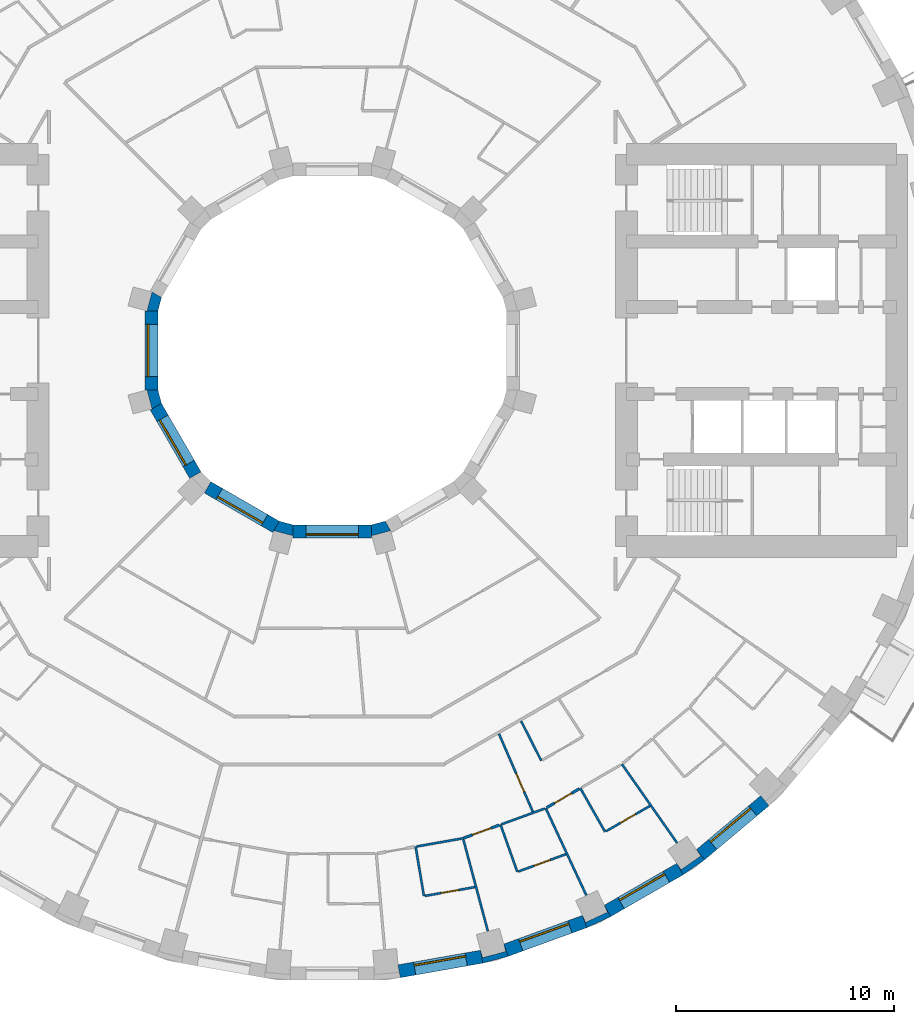
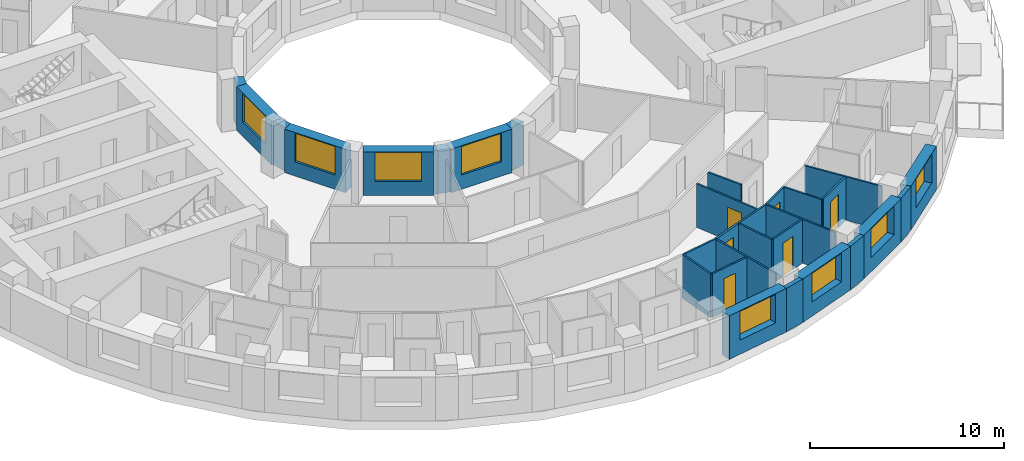
# One storey, part 5 of 14: 30 walls, 8 windows, 6 doors, 14 openings.
"""IFC4 building model written with IfcOpenShell, lengths in metres."""

from ifc_helpers import new_model, si_unit, direction, frame, frame_2d, origin, place, context, subcontext, project, spatial, polyline, rectangle, outline, extrude, material, layer, layer_set, type_object, element, fill, save


model = new_model("IFC4")

# Units and contexts
model_context = context("Model", 3, precision=1e-05, world=origin(), true_north=direction((0.0, 1.0)))
body_context = subcontext(model_context, "Body", "Model", "MODEL_VIEW")
ifc_project = project(units=[si_unit("LENGTHUNIT", "METRE"), si_unit("AREAUNIT", "SQUARE_METRE"), si_unit("VOLUMEUNIT", "CUBIC_METRE"), si_unit("PLANEANGLEUNIT", "RADIAN"), si_unit("MASSUNIT", "GRAM", prefix="KILO")], contexts=[model_context])

# Site, building, storey
site_placement = place(None, origin())
site = spatial("IfcSite", under=ifc_project, at=site_placement, CompositionType="ELEMENT")
building_placement = place(site_placement, origin())
building = spatial("IfcBuilding", under=site, at=building_placement, Name="Saqina Gate Tower", CompositionType="ELEMENT")
storey_placement = place(building_placement, frame((0.0, 0.0, 52.699951171875)))
storey = spatial("IfcBuildingStorey", under=building, at=storey_placement, Name="L14", CompositionType="ELEMENT", Elevation=52.699951171875)

# Walls
ifc_material_1 = material(Name="Brick masonry (red)", Category="masonry")
wall_type_1 = type_object("IfcWallType", Name="BRICK PIER COPING RED", PredefinedType="SOLIDWALL", material=ifc_material_1)
wall_1_placement = place(storey_placement, origin())
element("IfcWall", 1, at=wall_1_placement, inside=storey, type_object=wall_type_1, Name="Pier cap L14 column 29", PredefinedType="SOLIDWALL", context=body_context, shape_type="SweptSolid", body=[
    extrude(outline(polyline([(6.910400390625, -28.11669921875), (8.073974609375, -27.80517578125), (7.86865234375, -27.2412109375), (7.95947265625, -27.57958984375), (6.896728515625, -27.864501953125), (6.80615234375, -27.52587890625), (6.910400390625, -28.11669921875)])), origin(), (0.0, 0.0, 1.0), 2.75),
])
wall_2_placement = place(storey_placement, origin())
element("IfcWall", 2, at=wall_2_placement, inside=storey, type_object=wall_type_1, Name="Pier cap L14 column 30", PredefinedType="SOLIDWALL", context=body_context, shape_type="SweptSolid", body=[
    extrude(outline(polyline([(12.779541015625, -25.980712890625), (12.4794921875, -25.4609375), (12.627685546875, -25.778564453125), (11.630615234375, -26.243408203125), (11.482666015625, -25.92578125), (11.687744140625, -26.48974609375), (12.779541015625, -25.980712890625)])), origin(), (0.0, 0.0, 1.0), 2.75),
])
wall_3_placement = place(storey_placement, origin())
element("IfcWall", 3, at=wall_3_placement, inside=storey, type_object=wall_type_1, Name="Pier cap L14 column 31", PredefinedType="SOLIDWALL", context=body_context, shape_type="SweptSolid", body=[
    extrude(outline(polyline([(16.110107421875, -24.0576171875), (17.096923828125, -23.36669921875), (16.711181640625, -22.9072265625), (16.912109375, -23.194091796875), (16.010986328125, -23.8251953125), (15.81005859375, -23.5380859375), (16.110107421875, -24.0576171875)])), origin(), (0.0, 0.0, 1.0), 2.75),
])

# Wall, opening, window
ifc_material_2 = material(Name="Brick masonry (red)", Category="masonry")
ifc_layer_1 = layer(ifc_material_2, 0.60009765625)
ifc_layer_set_1 = layer_set([ifc_layer_1], Name="FW-BRICK-RED")
wall_type_2 = type_object("IfcWallType", Name="FW-BRICK-RED", PredefinedType="SOLIDWALL", material=ifc_layer_set_1)
wall_4_placement = place(storey_placement, frame((3.07080078125, -28.4892578125, 0.0), z_axis=(0.0, 0.0, 1.0), x_axis=(0.984800809218, 0.173687553279, 0.0)))
wall_4 = element("IfcWall", 4, at=wall_4_placement, inside=storey, type_object=wall_type_2, Name="Facade wall L14 facet 28", PredefinedType="SOLIDWALL", context=body_context, shape_type="SweptSolid", body=[
    extrude(rectangle(XDim=3.845703125, YDim=0.60009765625, at=frame_2d((1.9228515625, 0.0))), origin(), (0.0, 0.0, 1.0), 2.75),
])
opening_1_placement = place(wall_4_placement, frame((0.722900390625, 0.0, 0.89990234375)))
opening_1 = element("IfcOpeningElement", 5, at=opening_1_placement, cuts=wall_4, Name="Opening G03-W21", PredefinedType="OPENING", context=body_context, shape_type="SweptSolid", body=[
    extrude(rectangle(XDim=2.39990234375, YDim=1.800048828125, at=frame_2d((1.199951171875, 0.89990234375))), frame((0.0, 0.31201171875, 0.0), z_axis=(0.0, -1.0, 0.0), x_axis=(1.0, 0.0, 0.0)), (0.0, 0.0, 1.0), 0.6240234375),
])
ifc_material_3 = material(Name="Aluminium glazing", Category="aluminium")
window_type_1 = type_object("IfcWindowType", Name="WN-A", PartitioningType="SINGLE_PANEL", PredefinedType="WINDOW", material=ifc_material_3)
window_1_placement = place(opening_1_placement, origin())
window_1 = element("IfcWindow", 6, at=window_1_placement, inside=storey, type_object=window_type_1, Name="Window L14 facet 28", OverallHeight=1.800048828125, OverallWidth=2.39990234375, PartitioningType="SINGLE_PANEL", PredefinedType="WINDOW", context=body_context, shape_type="SweptSolid", body=[
    extrude(rectangle(XDim=2.39990234375, YDim=1.800048828125, at=frame_2d((1.199951171875, 0.89990234375))), frame((0.0, 0.179931640625, 0.0), z_axis=(0.0, -1.0, 0.0), x_axis=(1.0, 0.0, 0.0)), (0.0, 0.0, 1.0), 0.06005859375),
])
fill(opening_1, window_1)

wall_5_placement = place(storey_placement, frame((7.97119140625, -27.523193359375, 0.0), z_axis=(0.0, 0.0, 1.0), x_axis=(0.939689588564, 0.342028474173, 0.0)))
wall_5 = element("IfcWall", 7, at=wall_5_placement, inside=storey, type_object=wall_type_2, Name="Facade wall L14 facet 29", PredefinedType="SOLIDWALL", context=body_context, shape_type="SweptSolid", body=[
    extrude(rectangle(XDim=3.845947265625, YDim=0.60009765625, at=frame_2d((1.9228515625, 0.0))), origin(), (0.0, 0.0, 1.0), 2.75),
])
opening_2_placement = place(wall_5_placement, frame((0.722900390625, 0.0, 0.89990234375)))
opening_2 = element("IfcOpeningElement", 8, at=opening_2_placement, cuts=wall_5, Name="Opening G03-W22", PredefinedType="OPENING", context=body_context, shape_type="SweptSolid", body=[
    extrude(rectangle(XDim=2.39990234375, YDim=1.800048828125, at=frame_2d((1.199951171875, 0.89990234375))), frame((0.0, 0.31201171875, 0.0), z_axis=(0.0, -1.0, 0.0), x_axis=(1.0, 0.0, 0.0)), (0.0, 0.0, 1.0), 0.6240234375),
])
window_2_placement = place(opening_2_placement, origin())
window_2 = element("IfcWindow", 9, at=window_2_placement, inside=storey, type_object=window_type_1, Name="Window L14 facet 29", OverallHeight=1.800048828125, OverallWidth=2.39990234375, PartitioningType="SINGLE_PANEL", PredefinedType="WINDOW", context=body_context, shape_type="SweptSolid", body=[
    extrude(rectangle(XDim=2.39990234375, YDim=1.800048828125, at=frame_2d((1.199951171875, 0.89990234375))), frame((0.0, 0.179931640625, 0.0), z_axis=(0.0, -1.0, 0.0), x_axis=(1.0, 0.0, 0.0)), (0.0, 0.0, 1.0), 0.06005859375),
])
fill(opening_2, window_2)

wall_6_placement = place(storey_placement, frame((12.629638671875, -25.720703125, 0.0), z_axis=(0.0, 0.0, 1.0), x_axis=(0.86603124159, 0.499989888488, 0.0)))
wall_6 = element("IfcWall", 10, at=wall_6_placement, inside=storey, type_object=wall_type_2, Name="Facade wall L14 facet 30", PredefinedType="SOLIDWALL", context=body_context, shape_type="SweptSolid", body=[
    extrude(rectangle(XDim=3.845703125, YDim=0.60009765625, at=frame_2d((1.9228515625, 0.0))), origin(), (0.0, 0.0, 1.0), 2.75),
])
opening_3_placement = place(wall_6_placement, frame((0.722900390625, 0.0, 0.89990234375)))
opening_3 = element("IfcOpeningElement", 11, at=opening_3_placement, cuts=wall_6, Name="Opening G03-W23", PredefinedType="OPENING", context=body_context, shape_type="SweptSolid", body=[
    extrude(rectangle(XDim=2.39990234375, YDim=1.800048828125, at=frame_2d((1.199951171875, 0.89990234375))), frame((0.0, 0.31201171875, 0.0), z_axis=(0.0, -1.0, 0.0), x_axis=(1.0, 0.0, 0.0)), (0.0, 0.0, 1.0), 0.6240234375),
])
window_3_placement = place(opening_3_placement, origin())
window_3 = element("IfcWindow", 12, at=window_3_placement, inside=storey, type_object=window_type_1, Name="Window L14 facet 30", OverallHeight=1.800048828125, OverallWidth=2.39990234375, PartitioningType="SINGLE_PANEL", PredefinedType="WINDOW", context=body_context, shape_type="SweptSolid", body=[
    extrude(rectangle(XDim=2.39990234375, YDim=1.800048828125, at=frame_2d((1.199951171875, 0.89990234375))), frame((0.0, 0.179931640625, 0.0), z_axis=(0.0, -1.0, 0.0), x_axis=(1.0, 0.0, 0.0)), (0.0, 0.0, 1.0), 0.06005859375),
])
fill(opening_3, window_3)

wall_7_placement = place(storey_placement, frame((16.904052734375, -23.136962890625, 0.0), z_axis=(0.0, 0.0, 1.0), x_axis=(0.766026164483, 0.642809392687, 0.0)))
wall_7 = element("IfcWall", 13, at=wall_7_placement, inside=storey, type_object=wall_type_2, Name="Facade wall L14 facet 31", PredefinedType="SOLIDWALL", context=body_context, shape_type="SweptSolid", body=[
    extrude(rectangle(XDim=3.845947265625, YDim=0.60009765625, at=frame_2d((1.9228515625, 0.0))), origin(), (0.0, 0.0, 1.0), 2.75),
])
opening_4_placement = place(wall_7_placement, frame((0.722900390625, 0.0, 0.89990234375)))
opening_4 = element("IfcOpeningElement", 14, at=opening_4_placement, cuts=wall_7, Name="Opening G03-W24", PredefinedType="OPENING", context=body_context, shape_type="SweptSolid", body=[
    extrude(rectangle(XDim=2.39990234375, YDim=1.800048828125, at=frame_2d((1.199951171875, 0.89990234375))), frame((0.0, 0.31201171875, 0.0), z_axis=(0.0, -1.0, 0.0), x_axis=(1.0, 0.0, 0.0)), (0.0, 0.0, 1.0), 0.6240234375),
])
window_4_placement = place(opening_4_placement, origin())
window_4 = element("IfcWindow", 15, at=window_4_placement, inside=storey, type_object=window_type_1, Name="Window L14 facet 31", OverallHeight=1.800048828125, OverallWidth=2.39990234375, PartitioningType="SINGLE_PANEL", PredefinedType="WINDOW", context=body_context, shape_type="SweptSolid", body=[
    extrude(rectangle(XDim=2.39990234375, YDim=1.800048828125, at=frame_2d((1.199951171875, 0.89990234375))), frame((0.0, 0.179931640625, 0.0), z_axis=(0.0, -1.0, 0.0), x_axis=(1.0, 0.0, 0.0)), (0.0, 0.0, 1.0), 0.06005859375),
])
fill(opening_4, window_4)

ifc_material_4 = material(Name="Glazed ceramic tile", Category="ceramic")
ifc_layer_2 = layer(ifc_material_4, 0.60009765625)
ifc_layer_set_2 = layer_set([ifc_layer_2], Name="IW-TILE")
wall_type_3 = type_object("IfcWallType", Name="IW-TILE", PredefinedType="SOLIDWALL", material=ifc_layer_set_2)
wall_8_placement = place(storey_placement, frame((-8.300048828125, 1.8125, 0.0), z_axis=(0.0, 0.0, 1.0), x_axis=(0.0, -1.0, 0.0)))
wall_8 = element("IfcWall", 16, at=wall_8_placement, inside=storey, type_object=wall_type_3, Name="Well wall L14 facet 6", PredefinedType="SOLIDWALL", context=body_context, shape_type="SweptSolid", body=[
    extrude(rectangle(XDim=3.625, YDim=0.60009765625, at=frame_2d((1.8125, 0.0))), origin(), (0.0, 0.0, 1.0), 2.75),
])
opening_5_placement = place(wall_8_placement, frame((0.612548828125, 0.0, 0.89990234375)))
opening_5 = element("IfcOpeningElement", 17, at=opening_5_placement, cuts=wall_8, Name="Opening G03-W31", PredefinedType="OPENING", context=body_context, shape_type="SweptSolid", body=[
    extrude(rectangle(XDim=2.39990234375, YDim=1.800048828125, at=frame_2d((1.199951171875, 0.89990234375))), frame((0.0, 0.31201171875, 0.0), z_axis=(0.0, -1.0, 0.0), x_axis=(1.0, 0.0, 0.0)), (0.0, 0.0, 1.0), 0.6240234375),
])
ifc_material_5 = material(Name="Aluminium glazing", Category="aluminium")
window_type_2 = type_object("IfcWindowType", Name="WN-W", PartitioningType="SINGLE_PANEL", PredefinedType="WINDOW", material=ifc_material_5)
window_5_placement = place(opening_5_placement, origin())
window_5 = element("IfcWindow", 18, at=window_5_placement, inside=storey, type_object=window_type_2, Name="Well window L14 facet 6", OverallHeight=1.800048828125, OverallWidth=2.39990234375, PartitioningType="SINGLE_PANEL", PredefinedType="WINDOW", context=body_context, shape_type="SweptSolid", body=[
    extrude(rectangle(XDim=2.39990234375, YDim=1.800048828125, at=frame_2d((1.199951171875, 0.89990234375))), frame((0.0, -0.119873046875, 0.0), z_axis=(0.0, -1.0, 0.0), x_axis=(1.0, 0.0, 0.0)), (0.0, 0.0, 1.0), 0.06005859375),
])
fill(opening_5, window_5)

wall_9_placement = place(storey_placement, frame((-8.09423828125, -2.580322265625, 0.0), z_axis=(0.0, 0.0, 1.0), x_axis=(0.499992569217, -0.866029693906, 0.0)))
wall_9 = element("IfcWall", 19, at=wall_9_placement, inside=storey, type_object=wall_type_3, Name="Well wall L14 facet 7", PredefinedType="SOLIDWALL", context=body_context, shape_type="SweptSolid", body=[
    extrude(rectangle(XDim=3.625, YDim=0.60009765625, at=frame_2d((1.8125, 0.0))), origin(), (0.0, 0.0, 1.0), 2.75),
])
opening_6_placement = place(wall_9_placement, frame((0.612548828125, 0.0, 0.89990234375)))
opening_6 = element("IfcOpeningElement", 20, at=opening_6_placement, cuts=wall_9, Name="Opening G03-W32", PredefinedType="OPENING", context=body_context, shape_type="SweptSolid", body=[
    extrude(rectangle(XDim=2.39990234375, YDim=1.800048828125, at=frame_2d((1.199951171875, 0.89990234375))), frame((0.0, 0.31201171875, 0.0), z_axis=(0.0, -1.0, 0.0), x_axis=(1.0, 0.0, 0.0)), (0.0, 0.0, 1.0), 0.6240234375),
])
window_6_placement = place(opening_6_placement, origin())
window_6 = element("IfcWindow", 21, at=window_6_placement, inside=storey, type_object=window_type_2, Name="Well window L14 facet 7", OverallHeight=1.800048828125, OverallWidth=2.39990234375, PartitioningType="SINGLE_PANEL", PredefinedType="WINDOW", context=body_context, shape_type="SweptSolid", body=[
    extrude(rectangle(XDim=2.39990234375, YDim=1.800048828125, at=frame_2d((1.199951171875, 0.89990234375))), frame((0.0, -0.119873046875, 0.0), z_axis=(0.0, -1.0, 0.0), x_axis=(1.0, 0.0, 0.0)), (0.0, 0.0, 1.0), 0.06005859375),
])
fill(opening_6, window_6)

wall_10_placement = place(storey_placement, frame((-5.7197265625, -6.28173828125, 0.0), z_axis=(0.0, 0.0, 1.0), x_axis=(0.866029693906, -0.499992569217, 0.0)))
wall_10 = element("IfcWall", 22, at=wall_10_placement, inside=storey, type_object=wall_type_3, Name="Well wall L14 facet 8", PredefinedType="SOLIDWALL", context=body_context, shape_type="SweptSolid", body=[
    extrude(rectangle(XDim=3.625, YDim=0.60009765625, at=frame_2d((1.8125, 0.0))), origin(), (0.0, 0.0, 1.0), 2.75),
])
opening_7_placement = place(wall_10_placement, frame((0.612548828125, 0.0, 0.89990234375)))
opening_7 = element("IfcOpeningElement", 23, at=opening_7_placement, cuts=wall_10, Name="Opening G03-W33", PredefinedType="OPENING", context=body_context, shape_type="SweptSolid", body=[
    extrude(rectangle(XDim=2.39990234375, YDim=1.800048828125, at=frame_2d((1.199951171875, 0.89990234375))), frame((0.0, 0.31201171875, 0.0), z_axis=(0.0, -1.0, 0.0), x_axis=(1.0, 0.0, 0.0)), (0.0, 0.0, 1.0), 0.6240234375),
])
window_7_placement = place(opening_7_placement, origin())
window_7 = element("IfcWindow", 24, at=window_7_placement, inside=storey, type_object=window_type_2, Name="Well window L14 facet 8", OverallHeight=1.800048828125, OverallWidth=2.39990234375, PartitioningType="SINGLE_PANEL", PredefinedType="WINDOW", context=body_context, shape_type="SweptSolid", body=[
    extrude(rectangle(XDim=2.39990234375, YDim=1.800048828125, at=frame_2d((1.199951171875, 0.89990234375))), frame((0.0, -0.119873046875, 0.0), z_axis=(0.0, -1.0, 0.0), x_axis=(1.0, 0.0, 0.0)), (0.0, 0.0, 1.0), 0.06005859375),
])
fill(opening_7, window_7)

wall_11_placement = place(storey_placement, frame((-1.8125, -8.300048828125, 0.0), z_axis=(0.0, 0.0, 1.0), x_axis=(1.0, 0.0, 0.0)))
wall_11 = element("IfcWall", 25, at=wall_11_placement, inside=storey, type_object=wall_type_3, Name="Well wall L14 facet 9", PredefinedType="SOLIDWALL", context=body_context, shape_type="SweptSolid", body=[
    extrude(rectangle(XDim=3.625, YDim=0.60009765625, at=frame_2d((1.8125, 0.0))), origin(), (0.0, 0.0, 1.0), 2.75),
])
opening_8_placement = place(wall_11_placement, frame((0.612548828125, 0.0, 0.89990234375)))
opening_8 = element("IfcOpeningElement", 26, at=opening_8_placement, cuts=wall_11, Name="Opening G03-W34", PredefinedType="OPENING", context=body_context, shape_type="SweptSolid", body=[
    extrude(rectangle(XDim=2.39990234375, YDim=1.800048828125, at=frame_2d((1.199951171875, 0.89990234375))), frame((0.0, 0.31201171875, 0.0), z_axis=(0.0, -1.0, 0.0), x_axis=(1.0, 0.0, 0.0)), (0.0, 0.0, 1.0), 0.6240234375),
])
window_8_placement = place(opening_8_placement, origin())
window_8 = element("IfcWindow", 27, at=window_8_placement, inside=storey, type_object=window_type_2, Name="Well window L14 facet 9", OverallHeight=1.800048828125, OverallWidth=2.39990234375, PartitioningType="SINGLE_PANEL", PredefinedType="WINDOW", context=body_context, shape_type="SweptSolid", body=[
    extrude(rectangle(XDim=2.39990234375, YDim=1.800048828125, at=frame_2d((1.199951171875, 0.89990234375))), frame((0.0, -0.119873046875, 0.0), z_axis=(0.0, -1.0, 0.0), x_axis=(1.0, 0.0, 0.0)), (0.0, 0.0, 1.0), 0.06005859375),
])
fill(opening_8, window_8)

# Walls
ifc_material_6 = material(Name="Gypsum board on steel studs, 100 mm", Category="steel")
ifc_layer_3 = layer(ifc_material_6, 0.10009765625)
ifc_layer_set_3 = layer_set([ifc_layer_3], Name="PARTITION 100")
wall_type_4 = type_object("IfcWallType", Name="PARTITION 100", PredefinedType="PARTITIONING", material=ifc_layer_set_3)
wall_12_placement = place(storey_placement, frame((3.826904296875, -22.77099609375, 0.0), z_axis=(0.0, 0.0, 1.0), x_axis=(0.165707124798, -0.98617500921, 0.0)))
element("IfcWall", 28, at=wall_12_placement, inside=storey, type_object=wall_type_4, Name="PARTITION PW3-05", PredefinedType="PARTITIONING", context=body_context, shape_type="SweptSolid", body=[
    extrude(rectangle(XDim=2.2998046875, YDim=0.10009765625, at=frame_2d((1.14990234375, 0.0))), origin(), (0.0, 0.0, 1.0), 2.75),
])
wall_13_placement = place(storey_placement, frame((6.018310546875, -22.447509765625, 0.0), z_axis=(0.0, 0.0, 1.0), x_axis=(0.258193625059, -0.966093190111, 0.0)))
element("IfcWall", 29, at=wall_13_placement, inside=storey, type_object=wall_type_4, Name="PARTITION PW3-08", PredefinedType="PARTITIONING", context=body_context, shape_type="SweptSolid", body=[
    extrude(rectangle(XDim=4.349609375, YDim=0.10009765625, at=frame_2d((2.1748046875, 0.0))), origin(), (0.0, 0.0, 1.0), 2.75),
])
wall_14_placement = place(storey_placement, frame((7.722900390625, -21.760009765625, 0.0), z_axis=(0.0, 0.0, 1.0), x_axis=(0.334695622164, -0.942326291952, 0.0)))
element("IfcWall", 30, at=wall_14_placement, inside=storey, type_object=wall_type_4, Name="PARTITION PW3-11", PredefinedType="PARTITIONING", context=body_context, shape_type="SweptSolid", body=[
    extrude(rectangle(XDim=2.300537109375, YDim=0.10009765625, at=frame_2d((1.150390625, 0.0))), origin(), (0.0, 0.0, 1.0), 2.75),
])

# Wall, opening, door
wall_15_placement = place(storey_placement, frame((7.64990234375, -17.59423828125, 0.0), z_axis=(0.0, 0.0, 1.0), x_axis=(0.398813158587, -0.917032204744, 0.0)))
wall_15 = element("IfcWall", 31, at=wall_15_placement, inside=storey, type_object=wall_type_4, Name="PARTITION PW3-14", PredefinedType="PARTITIONING", context=body_context, shape_type="SweptSolid", body=[
    extrude(rectangle(XDim=3.89697265625, YDim=0.10009765625, at=frame_2d((1.948486328125, 0.0))), origin(), (0.0, 0.0, 1.0), 2.75),
])
opening_9_placement = place(wall_15_placement, frame((1.9921875, 0.0, 0.0)))
opening_9 = element("IfcOpeningElement", 32, at=opening_9_placement, cuts=wall_15, Name="Opening G03-D64", PredefinedType="OPENING", context=body_context, shape_type="SweptSolid", body=[
    extrude(rectangle(XDim=0.89990234375, YDim=2.10009765625, at=frame_2d((0.449951171875, 1.050048828125))), frame((0.0, 0.06201171875, 0.0), z_axis=(0.0, -1.0, 0.0), x_axis=(1.0, 0.0, 0.0)), (0.0, 0.0, 1.0), 0.1240234375),
])
ifc_material_7 = material(Name="Timber door leaf, 900 mm", Category="wood")
door_type_1 = type_object("IfcDoorType", Name="DOOR 900 TIMBER", OperationType="SINGLE_SWING_LEFT", PredefinedType="DOOR", material=ifc_material_7)
door_1_placement = place(opening_9_placement, frame((0.89990234375, 0.0, 0.0), z_axis=(0.0, 0.0, 1.0), x_axis=(-1.0, 0.0, 0.0)))
door_1 = element("IfcDoor", 33, at=door_1_placement, inside=storey, type_object=door_type_1, Name="DOOR G03-D64", OperationType="SINGLE_SWING_LEFT", OverallHeight=2.10009765625, OverallWidth=0.89990234375, PredefinedType="DOOR", context=body_context, shape_type="SweptSolid", body=[
    extrude(rectangle(XDim=0.89990234375, YDim=2.10009765625, at=frame_2d((0.449951171875, 1.050048828125))), frame((0.0, 0.02490234375, 0.0), z_axis=(0.0, -1.0, 0.0), x_axis=(1.0, 0.0, 0.0)), (0.0, 0.0, 1.0), 0.050048828125),
])
fill(opening_9, door_1)

# Walls
wall_16_placement = place(storey_placement, frame((9.794921875, -21.006103515625, 0.0), z_axis=(0.0, 0.0, 1.0), x_axis=(0.422658280027, -0.906289125127, 0.0)))
element("IfcWall", 34, at=wall_16_placement, inside=storey, type_object=wall_type_4, Name="PARTITION PW3-16", PredefinedType="PARTITIONING", context=body_context, shape_type="SweptSolid", body=[
    extrude(rectangle(XDim=4.41259765625, YDim=0.10009765625, at=frame_2d((2.206298828125, 0.0))), origin(), (0.0, 0.0, 1.0), 2.75),
])
wall_17_placement = place(storey_placement, frame((8.66650390625, -17.0078125, 0.0), z_axis=(0.0, 0.0, 1.0), x_axis=(0.453664033068, -0.891172791944, 0.0)))
element("IfcWall", 35, at=wall_17_placement, inside=storey, type_object=wall_type_4, Name="PARTITION PW3-17", PredefinedType="PARTITIONING", context=body_context, shape_type="SweptSolid", body=[
    extrude(rectangle(XDim=2.0400390625, YDim=0.10009765625, at=frame_2d((1.02001953125, 0.0))), origin(), (0.0, 0.0, 1.0), 2.75),
])
wall_18_placement = place(storey_placement, frame((11.385009765625, -20.089111328125, 0.0), z_axis=(0.0, 0.0, 1.0), x_axis=(0.49306078006, -0.869994866173, 0.0)))
element("IfcWall", 36, at=wall_18_placement, inside=storey, type_object=wall_type_4, Name="PARTITION PW3-19", PredefinedType="PARTITIONING", context=body_context, shape_type="SweptSolid", body=[
    extrude(rectangle(XDim=2.300048828125, YDim=0.10009765625, at=frame_2d((1.14990234375, 0.0))), origin(), (0.0, 0.0, 1.0), 2.75),
])
wall_19_placement = place(storey_placement, frame((13.2939453125, -18.986083984375, 0.0), z_axis=(0.0, 0.0, 1.0), x_axis=(0.573391786342, -0.819281306607, 0.0)))
element("IfcWall", 37, at=wall_19_placement, inside=storey, type_object=wall_type_4, Name="PARTITION PW3-25", PredefinedType="PARTITIONING", context=body_context, shape_type="SweptSolid", body=[
    extrude(rectangle(XDim=4.412353515625, YDim=0.10009765625, at=frame_2d((2.2060546875, 0.0))), origin(), (0.0, 0.0, 1.0), 2.75),
])

# Wall, opening, door
wall_20_placement = place(storey_placement, frame((4.25732421875, -25.0302734375, 0.0), z_axis=(0.0, 0.0, 1.0), x_axis=(0.984818426074, 0.173587636842, 0.0)))
wall_20 = element("IfcWall", 38, at=wall_20_placement, inside=storey, type_object=wall_type_4, Name="PARTITION PW3-70", PredefinedType="PARTITIONING", context=body_context, shape_type="SweptSolid", body=[
    extrude(rectangle(XDim=2.324951171875, YDim=0.10009765625, at=frame_2d((1.16259765625, 0.0))), origin(), (0.0, 0.0, 1.0), 2.75),
])
opening_10_placement = place(wall_20_placement, frame((0.762451171875, 0.0, 0.0)))
opening_10 = element("IfcOpeningElement", 39, at=opening_10_placement, cuts=wall_20, Name="Opening G03-D61", PredefinedType="OPENING", context=body_context, shape_type="SweptSolid", body=[
    extrude(rectangle(XDim=0.800048828125, YDim=2.10009765625, at=frame_2d((0.39990234375, 1.050048828125))), frame((0.0, 0.06201171875, 0.0), z_axis=(0.0, -1.0, 0.0), x_axis=(1.0, 0.0, 0.0)), (0.0, 0.0, 1.0), 0.1240234375),
])
ifc_material_8 = material(Name="Timber door leaf, 800 mm", Category="wood")
door_type_2 = type_object("IfcDoorType", Name="DOOR 800 TIMBER", OperationType="SINGLE_SWING_LEFT", PredefinedType="DOOR", material=ifc_material_8)
door_2_placement = place(opening_10_placement, frame((0.800048828125, 0.0, 0.0), z_axis=(0.0, 0.0, 1.0), x_axis=(-1.0, 0.0, 0.0)))
door_2 = element("IfcDoor", 40, at=door_2_placement, inside=storey, type_object=door_type_2, Name="DOOR G03-D61", OperationType="SINGLE_SWING_RIGHT", OverallHeight=2.10009765625, OverallWidth=0.800048828125, PredefinedType="DOOR", context=body_context, shape_type="SweptSolid", body=[
    extrude(rectangle(XDim=0.800048828125, YDim=2.10009765625, at=frame_2d((0.39990234375, 1.050048828125))), frame((0.0, 0.02490234375, 0.0), z_axis=(0.0, -1.0, 0.0), x_axis=(1.0, 0.0, 0.0)), (0.0, 0.0, 1.0), 0.050048828125),
])
fill(opening_10, door_2)

# Wall
wall_21_placement = place(storey_placement, frame((3.876220703125, -22.76220703125, 0.0), z_axis=(0.0, 0.0, 1.0), x_axis=(0.98481362095, 0.173614895648, 0.0)))
element("IfcWall", 41, at=wall_21_placement, inside=storey, type_object=wall_type_4, Name="PARTITION PW3-71", PredefinedType="PARTITIONING", context=body_context, shape_type="SweptSolid", body=[
    extrude(rectangle(XDim=2.206298828125, YDim=0.10009765625, at=frame_2d((1.10302734375, 0.0))), origin(), (0.0, 0.0, 1.0), 2.75),
])

# Wall, opening, door
wall_22_placement = place(storey_placement, frame((8.5400390625, -23.910888671875, 0.0), z_axis=(0.0, 0.0, 1.0), x_axis=(0.939716717369, 0.34195393125, 0.0)))
wall_22 = element("IfcWall", 42, at=wall_22_placement, inside=storey, type_object=wall_type_4, Name="PARTITION PW3-74", PredefinedType="PARTITIONING", context=body_context, shape_type="SweptSolid", body=[
    extrude(rectangle(XDim=2.323974609375, YDim=0.10009765625, at=frame_2d((1.162109375, 0.0))), origin(), (0.0, 0.0, 1.0), 2.75),
])
opening_11_placement = place(wall_22_placement, frame((0.76220703125, 0.0, 0.0)))
opening_11 = element("IfcOpeningElement", 43, at=opening_11_placement, cuts=wall_22, Name="Opening G03-D63", PredefinedType="OPENING", context=body_context, shape_type="SweptSolid", body=[
    extrude(rectangle(XDim=0.800048828125, YDim=2.10009765625, at=frame_2d((0.39990234375, 1.050048828125))), frame((0.0, 0.06201171875, 0.0), z_axis=(0.0, -1.0, 0.0), x_axis=(1.0, 0.0, 0.0)), (0.0, 0.0, 1.0), 0.1240234375),
])
door_3_placement = place(opening_11_placement, frame((0.800048828125, 0.0, 0.0), z_axis=(0.0, 0.0, 1.0), x_axis=(-1.0, 0.0, 0.0)))
door_3 = element("IfcDoor", 44, at=door_3_placement, inside=storey, type_object=door_type_2, Name="DOOR G03-D63", OperationType="SINGLE_SWING_LEFT", OverallHeight=2.10009765625, OverallWidth=0.800048828125, PredefinedType="DOOR", context=body_context, shape_type="SweptSolid", body=[
    extrude(rectangle(XDim=0.800048828125, YDim=2.10009765625, at=frame_2d((0.39990234375, 1.050048828125))), frame((0.0, 0.02490234375, 0.0), z_axis=(0.0, -1.0, 0.0), x_axis=(1.0, 0.0, 0.0)), (0.0, 0.0, 1.0), 0.050048828125),
])
fill(opening_11, door_3)

# Wall
wall_23_placement = place(storey_placement, frame((7.77001953125, -21.742919921875, 0.0), z_axis=(0.0, 0.0, 1.0), x_axis=(0.939725675468, 0.341929312674, 0.0)))
element("IfcWall", 45, at=wall_23_placement, inside=storey, type_object=wall_type_4, Name="PARTITION PW3-75", PredefinedType="PARTITIONING", context=body_context, shape_type="SweptSolid", body=[
    extrude(rectangle(XDim=2.10498046875, YDim=0.10009765625, at=frame_2d((1.052490234375, 0.0))), origin(), (0.0, 0.0, 1.0), 2.75),
])

# Wall, opening, door
wall_24_placement = place(storey_placement, frame((12.562255859375, -22.06494140625, 0.0), z_axis=(0.0, 0.0, 1.0), x_axis=(0.865919666768, 0.50018309718, 0.0)))
wall_24 = element("IfcWall", 46, at=wall_24_placement, inside=storey, type_object=wall_type_4, Name="PARTITION PW3-79", PredefinedType="PARTITIONING", context=body_context, shape_type="SweptSolid", body=[
    extrude(rectangle(XDim=2.324462890625, YDim=0.10009765625, at=frame_2d((1.162109375, 0.0))), origin(), (0.0, 0.0, 1.0), 2.75),
])
opening_12_placement = place(wall_24_placement, frame((0.76220703125, 0.0, 0.0)))
opening_12 = element("IfcOpeningElement", 47, at=opening_12_placement, cuts=wall_24, Name="Opening G03-D69", PredefinedType="OPENING", context=body_context, shape_type="SweptSolid", body=[
    extrude(rectangle(XDim=0.800048828125, YDim=2.10009765625, at=frame_2d((0.39990234375, 1.050048828125))), frame((0.0, 0.06201171875, 0.0), z_axis=(0.0, -1.0, 0.0), x_axis=(1.0, 0.0, 0.0)), (0.0, 0.0, 1.0), 0.1240234375),
])
door_4_placement = place(opening_12_placement, frame((0.800048828125, 0.0, 0.0), z_axis=(0.0, 0.0, 1.0), x_axis=(-1.0, 0.0, 0.0)))
door_4 = element("IfcDoor", 48, at=door_4_placement, inside=storey, type_object=door_type_2, Name="DOOR G03-D69", OperationType="SINGLE_SWING_RIGHT", OverallHeight=2.10009765625, OverallWidth=0.800048828125, PredefinedType="DOOR", context=body_context, shape_type="SweptSolid", body=[
    extrude(rectangle(XDim=0.800048828125, YDim=2.10009765625, at=frame_2d((0.39990234375, 1.050048828125))), frame((0.0, 0.02490234375, 0.0), z_axis=(0.0, -1.0, 0.0), x_axis=(1.0, 0.0, 0.0)), (0.0, 0.0, 1.0), 0.050048828125),
])
fill(opening_12, door_4)

ifc_material_9 = material(Name="Gypsum board on steel studs, 125 mm, fire rated", Category="steel")
ifc_layer_4 = layer(ifc_material_9, 0.125)
ifc_layer_set_4 = layer_set([ifc_layer_4], Name="PARTITION EI 30 125")
wall_type_5 = type_object("IfcWallType", Name="PARTITION EI 30 125", PredefinedType="PARTITIONING", material=ifc_layer_set_4)
wall_25_placement = place(storey_placement, frame((6.0458984375, -22.370849609375, 0.0), z_axis=(0.0, 0.0, 1.0), x_axis=(0.939612508188, 0.342240170722, 0.0)))
wall_25 = element("IfcWall", 49, at=wall_25_placement, inside=storey, type_object=wall_type_5, Name="PARTITION PW1-33", PredefinedType="PARTITIONING", context=body_context, shape_type="SweptSolid", body=[
    extrude(rectangle(XDim=1.73486328125, YDim=0.125, at=frame_2d((0.867431640625, 0.0))), origin(), (0.0, 0.0, 1.0), 2.75),
])
opening_13_placement = place(wall_25_placement, frame((0.41748046875, 0.0, 0.0)))
opening_13 = element("IfcOpeningElement", 50, at=opening_13_placement, cuts=wall_25, Name="Opening G03-D62", PredefinedType="OPENING", context=body_context, shape_type="SweptSolid", body=[
    extrude(rectangle(XDim=0.89990234375, YDim=2.10009765625, at=frame_2d((0.449951171875, 1.050048828125))), frame((0.0, 0.074462890625, 0.0), z_axis=(0.0, -1.0, 0.0), x_axis=(1.0, 0.0, 0.0)), (0.0, 0.0, 1.0), 0.14892578125),
])
ifc_material_10 = material(Name="Fire door leaf EI 30, 900 mm")
door_type_3 = type_object("IfcDoorType", Name="DOOR 900 EI 30", OperationType="SINGLE_SWING_LEFT", PredefinedType="DOOR", material=ifc_material_10)
door_5_placement = place(opening_13_placement, origin())
door_5 = element("IfcDoor", 51, at=door_5_placement, inside=storey, type_object=door_type_3, Name="DOOR G03-D62", OperationType="SINGLE_SWING_LEFT", OverallHeight=2.10009765625, OverallWidth=0.89990234375, PredefinedType="DOOR", context=body_context, shape_type="SweptSolid", body=[
    extrude(rectangle(XDim=0.89990234375, YDim=2.10009765625, at=frame_2d((0.449951171875, 1.050048828125))), frame((0.0, 0.02490234375, 0.0), z_axis=(0.0, -1.0, 0.0), x_axis=(1.0, 0.0, 0.0)), (0.0, 0.0, 1.0), 0.050048828125),
])
fill(opening_13, door_5)

wall_26_placement = place(storey_placement, frame((9.83837890625, -20.98095703125, 0.0), z_axis=(0.0, 0.0, 1.0), x_axis=(0.866288616225, 0.499543825303, 0.0)))
wall_26 = element("IfcWall", 52, at=wall_26_placement, inside=storey, type_object=wall_type_5, Name="PARTITION PW1-35", PredefinedType="PARTITIONING", context=body_context, shape_type="SweptSolid", body=[
    extrude(rectangle(XDim=1.7353515625, YDim=0.125, at=frame_2d((0.86767578125, 0.0))), origin(), (0.0, 0.0, 1.0), 2.75),
])
opening_14_placement = place(wall_26_placement, frame((0.417724609375, 0.0, 0.0)))
opening_14 = element("IfcOpeningElement", 53, at=opening_14_placement, cuts=wall_26, Name="Opening G03-D65", PredefinedType="OPENING", context=body_context, shape_type="SweptSolid", body=[
    extrude(rectangle(XDim=0.89990234375, YDim=2.10009765625, at=frame_2d((0.449951171875, 1.050048828125))), frame((0.0, 0.074462890625, 0.0), z_axis=(0.0, -1.0, 0.0), x_axis=(1.0, 0.0, 0.0)), (0.0, 0.0, 1.0), 0.14892578125),
])
door_6_placement = place(opening_14_placement, origin())
door_6 = element("IfcDoor", 54, at=door_6_placement, inside=storey, type_object=door_type_3, Name="DOOR G03-D65", OperationType="SINGLE_SWING_LEFT", OverallHeight=2.10009765625, OverallWidth=0.89990234375, PredefinedType="DOOR", context=body_context, shape_type="SweptSolid", body=[
    extrude(rectangle(XDim=0.89990234375, YDim=2.10009765625, at=frame_2d((0.449951171875, 1.050048828125))), frame((0.0, 0.02490234375, 0.0), z_axis=(0.0, -1.0, 0.0), x_axis=(1.0, 0.0, 0.0)), (0.0, 0.0, 1.0), 0.050048828125),
])
fill(opening_14, door_6)

# Walls
ifc_material_11 = material(Name="Glazed ceramic tile", Category="ceramic")
wall_type_6 = type_object("IfcWallType", Name="TILE PIER COPING", PredefinedType="SOLIDWALL", material=ifc_material_11)
wall_27_placement = place(storey_placement, origin())
element("IfcWall", 55, at=wall_27_placement, inside=storey, type_object=wall_type_6, Name="Well pier cap L14 column 6", PredefinedType="SOLIDWALL", context=body_context, shape_type="SweptSolid", body=[
    extrude(outline(polyline([(-8.502685546875, 1.8125), (-8.0, 1.8125), (-7.83447265625, 2.430419921875), (-8.27001953125, 2.681884765625), (-8.502685546875, 1.8125)])), origin(), (0.0, 0.0, 1.0), 2.75),
])
wall_28_placement = place(storey_placement, origin())
element("IfcWall", 56, at=wall_28_placement, inside=storey, type_object=wall_type_6, Name="Well pier cap L14 column 7", PredefinedType="SOLIDWALL", context=body_context, shape_type="SweptSolid", body=[
    extrude(outline(polyline([(-8.27001953125, -2.681884765625), (-7.83447265625, -2.430419921875), (-8.0, -1.8125), (-8.502685546875, -1.8125), (-8.27001953125, -2.681884765625)])), origin(), (0.0, 0.0, 1.0), 2.75),
])
wall_29_placement = place(storey_placement, origin())
element("IfcWall", 57, at=wall_29_placement, inside=storey, type_object=wall_type_6, Name="Well pier cap L14 column 9", PredefinedType="SOLIDWALL", context=body_context, shape_type="SweptSolid", body=[
    extrude(outline(polyline([(-1.8125, -8.502685546875), (-1.8125, -8.0), (-2.430419921875, -7.83447265625), (-2.681884765625, -8.27001953125), (-1.8125, -8.502685546875)])), origin(), (0.0, 0.0, 1.0), 2.75),
])
wall_30_placement = place(storey_placement, origin())
element("IfcWall", 58, at=wall_30_placement, inside=storey, type_object=wall_type_6, Name="Well pier cap L14 column 10", PredefinedType="SOLIDWALL", context=body_context, shape_type="SweptSolid", body=[
    extrude(outline(polyline([(2.681884765625, -8.27001953125), (2.430419921875, -7.83447265625), (1.8125, -8.0), (1.8125, -8.502685546875), (2.681884765625, -8.27001953125)])), origin(), (0.0, 0.0, 1.0), 2.75),
])

save(model, "model.ifc")
